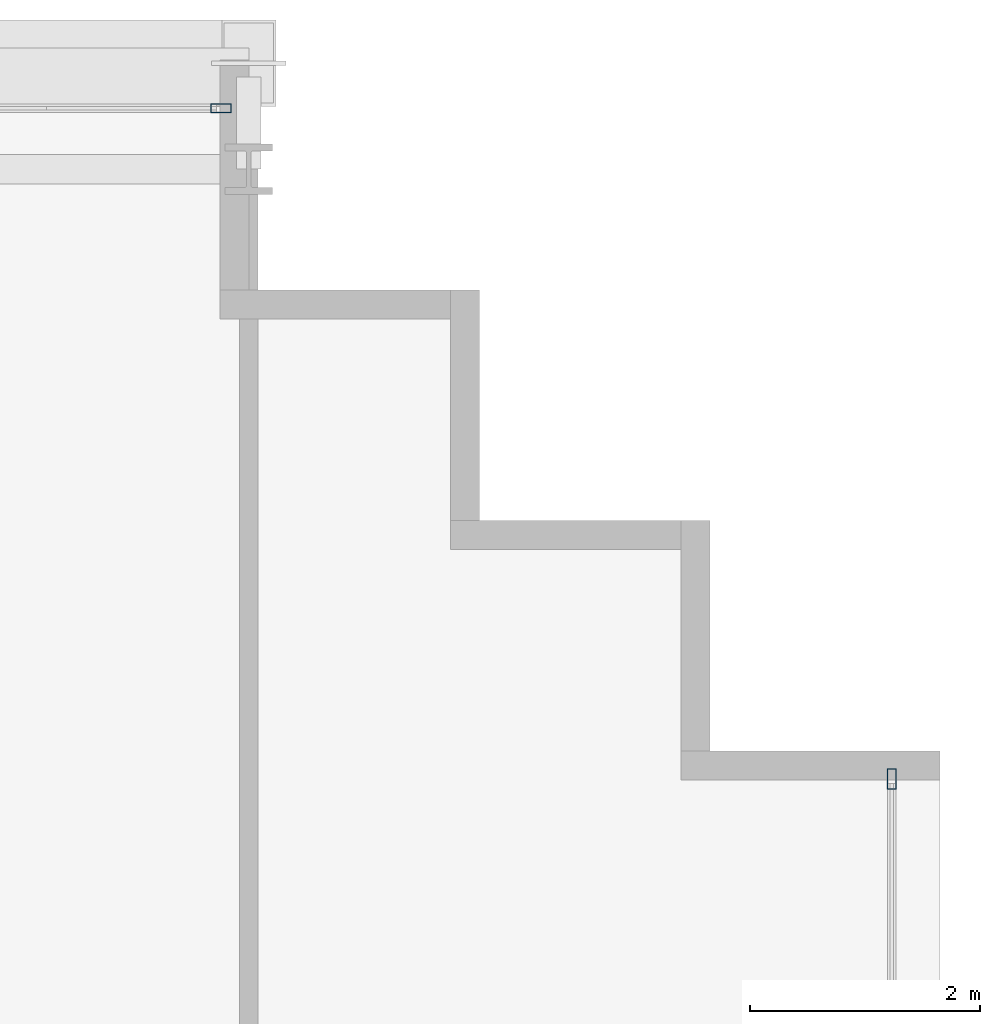
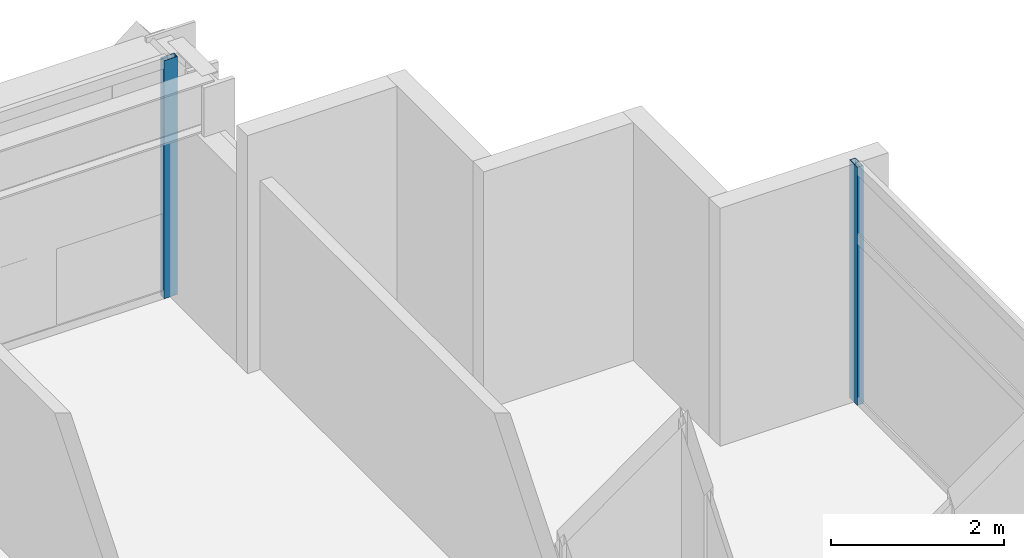
# One storey, part 22 of 35: 2 members, 2 elements without a shape of their own.
"""IFC4 building model written with IfcOpenShell, lengths in metres."""

from ifc_helpers import new_model, si_unit, direction, frame, origin, origin_2d, place, context, subcontext, project, spatial, hollow_rectangle, extrude, source, transform, mapped, material, layer, layer_set, material_profile, profile_set, type_object, element, aggregate, save


model = new_model("IFC4")

# Units and contexts
model_context = context("Model", 3, precision=1e-05, world=origin(), true_north=direction((0.0, 1.0)))
body_context = subcontext(model_context, "Body", "Model", "MODEL_VIEW")
ifc_project = project(units=[si_unit("LENGTHUNIT", "METRE"), si_unit("AREAUNIT", "SQUARE_METRE"), si_unit("VOLUMEUNIT", "CUBIC_METRE"), si_unit("PLANEANGLEUNIT", "RADIAN"), si_unit("MASSUNIT", "GRAM", prefix="KILO")], contexts=[model_context])

# Site, building, storey
site_placement = place(None, origin())
site = spatial("IfcSite", under=ifc_project, at=site_placement, CompositionType="ELEMENT")
building_placement = place(site_placement, origin())
building = spatial("IfcBuilding", under=site, at=building_placement, Name="Ocotamira Hotel", CompositionType="ELEMENT")
storey_placement = place(building_placement, frame((0.0, 0.0, 100.800048828125)))
storey = spatial("IfcBuildingStorey", under=building, at=storey_placement, Name="L24", CompositionType="ELEMENT", Elevation=100.800048828125)

# Curtain wall, member
ifc_material_1 = material(Name="Anodised pale-metal aluminium and solar glass", Category="aluminium")
ifc_layer = layer(ifc_material_1, 0.179931640625)
ifc_layer_set = layer_set([ifc_layer], Name="Anodised pale-metal aluminium and solar glass")
curtain_wall_type = type_object("IfcCurtainWallType", Name="CW-SYS3-Z2", PredefinedType="NOTDEFINED", material=ifc_layer_set)
curtain_wall_1_placement = place(storey_placement, origin())
curtain_wall_1 = element("IfcCurtainWall", 1, at=curtain_wall_1_placement, inside=storey, type_object=curtain_wall_type, Name="L24 Curtain Wall CW-3 CW-L24-N", PredefinedType="NOTDEFINED")
ifc_material_2 = material(Name="Anodised pale-metal aluminium 6063-T6", Category="aluminium")
ifc_material_profile = material_profile(ifc_material_2, hollow_rectangle(XDim=0.080078125, YDim=0.179931640625, WallThickness=0.006103515625, at=origin_2d()), Name="HSS180X80X6")
ifc_profile_set = profile_set([ifc_material_profile], Name="Anodised pale-metal aluminium 6063-T6")
member_type = type_object("IfcMemberType", Name="CWM-180X75", PredefinedType="MULLION", material=ifc_profile_set)
shared_shape = source(origin(), body_context, "Body", "SweptSolid", [
    extrude(hollow_rectangle(XDim=0.080078125, YDim=0.179931640625, WallThickness=0.006103515625, at=origin_2d()), origin(), (0.0, 0.0, 1.0), 3.35986328125),
])
member_1_placement = place(storey_placement, frame((49.760009765625, 49.580078125, 0.0), z_axis=(0.0, 0.0, 1.0), x_axis=(0.0, 1.0, 0.0)))
member_1 = element("IfcMember", 2, at=member_1_placement, type_object=member_type, Name="CW-3 mullion 10", PredefinedType="MULLION", context=body_context, shape_type="MappedRepresentation", body=[
    mapped(shared_shape, transform((0.0, 0.0, 0.0), scale=1.0)),
])
aggregate(curtain_wall_1, [member_1])

curtain_wall_2_placement = place(storey_placement, origin())
curtain_wall_2 = element("IfcCurtainWall", 3, at=curtain_wall_2_placement, inside=storey, type_object=curtain_wall_type, Name="L24 Curtain Wall CW-3 CW-L24-E", PredefinedType="NOTDEFINED")
member_2_placement = place(storey_placement, frame((55.580078125, 43.760009765625, 0.0), z_axis=(0.0, 0.0, 1.0), x_axis=(-1.0, 0.0, 0.0)))
member_2 = element("IfcMember", 4, at=member_2_placement, type_object=member_type, Name="CW-3 mullion 8", PredefinedType="MULLION", context=body_context, shape_type="MappedRepresentation", body=[
    mapped(shared_shape, transform((0.0, 0.0, 0.0), scale=1.0)),
])
aggregate(curtain_wall_2, [member_2])

save(model, "model.ifc")
